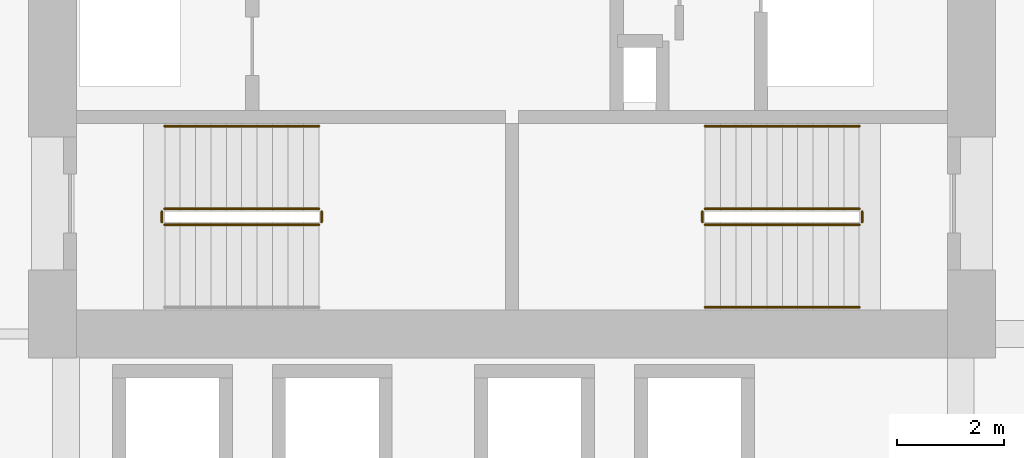
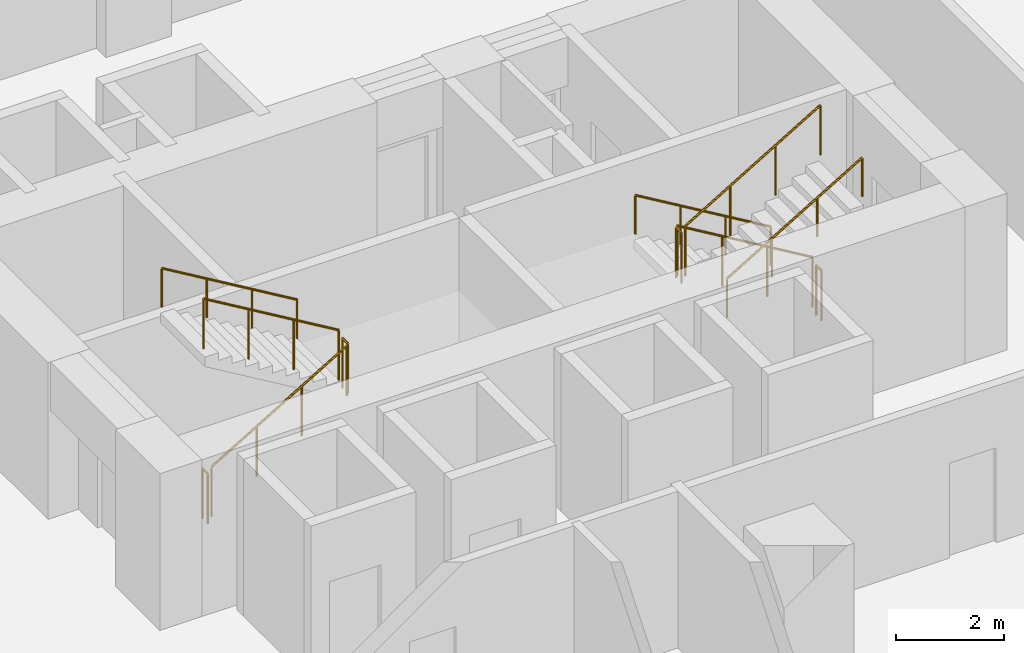
# One storey, part 21 of 23: 11 railings.
"""IFC4 building model written with IfcOpenShell, lengths in metres."""

from ifc_helpers import new_model, si_unit, direction, frame, origin, origin_2d, place, context, subcontext, project, spatial, circle, extrude, material, type_object, element, save


model = new_model("IFC4")

# Units and contexts
model_context = context("Model", 3, precision=1e-05, world=origin(), true_north=direction((0.0, 1.0)))
body_context = subcontext(model_context, "Body", "Model", "MODEL_VIEW")
ifc_project = project(units=[si_unit("LENGTHUNIT", "METRE"), si_unit("AREAUNIT", "SQUARE_METRE"), si_unit("VOLUMEUNIT", "CUBIC_METRE"), si_unit("PLANEANGLEUNIT", "RADIAN"), si_unit("MASSUNIT", "GRAM", prefix="KILO")], contexts=[model_context])

# Site, building, storey
site_placement = place(None, origin())
site = spatial("IfcSite", under=ifc_project, at=site_placement, CompositionType="ELEMENT")
building_placement = place(site_placement, origin())
building = spatial("IfcBuilding", under=site, at=building_placement, Name="Koriwani Terraces Tower", CompositionType="ELEMENT")
storey_placement = place(building_placement, frame((0.0, 0.0, 32.0)))
storey = spatial("IfcBuildingStorey", under=building, at=storey_placement, Name="L06", CompositionType="ELEMENT", Elevation=32.0)

# Railings
ifc_material = material(Name="Steel ASTM A572 Grade 50", Category="steel")
railing_type_1 = type_object("IfcRailingType", Name="GUARD_STAIR_WELL_1120", PredefinedType="GUARDRAIL", material=ifc_material)
railing_1_placement = place(storey_placement, frame((43.85009765625, 18.85009765625, 0.172607421875)))
element("IfcRailing", 1, at=railing_1_placement, inside=storey, type_object=railing_type_1, Name="L06 ST-E1 stair guard 1", PredefinedType="GUARDRAIL", context=body_context, shape_type="SweptSolid", body=[
    extrude(circle(Radius=0.02392578125, at=origin_2d()), frame((0.0, 0.0, 1.1259765625), z_axis=(0.859141464434, 0.0, 0.511738159696), x_axis=(0.0, 1.0, 0.0)), (0.0, 0.0, 1.0), 3.375244140625),
    extrude(circle(Radius=0.02099609375, at=origin_2d()), origin(), (0.0, 0.0, 1.0), 1.101806640625),
    extrude(circle(Radius=0.02099609375, at=origin_2d()), frame((0.966552734375, 0.0, 0.57568359375)), (0.0, 0.0, 1.0), 1.101806640625),
    extrude(circle(Radius=0.02099609375, at=origin_2d()), frame((1.933349609375, 0.0, 1.151611328125)), (0.0, 0.0, 1.0), 1.101806640625),
    extrude(circle(Radius=0.02099609375, at=origin_2d()), frame((2.89990234375, 0.0, 1.727294921875)), (0.0, 0.0, 1.0), 1.101806640625),
])
railing_2_placement = place(storey_placement, frame((46.800048828125, 18.89990234375, 1.89990234375)))
element("IfcRailing", 2, at=railing_2_placement, inside=storey, type_object=railing_type_1, Name="L06 ST-E1 stair guard 2", PredefinedType="GUARDRAIL", context=body_context, shape_type="SweptSolid", body=[
    extrude(circle(Radius=0.02392578125, at=origin_2d()), frame((0.0, 0.0, 1.1259765625), z_axis=(0.0, 1.0, 0.0), x_axis=(-1.0, 0.0, 0.0)), (0.0, 0.0, 1.0), 0.2001953125),
    extrude(circle(Radius=0.02099609375, at=origin_2d()), origin(), (0.0, 0.0, 1.0), 1.101806640625),
    extrude(circle(Radius=0.02099609375, at=origin_2d()), frame((0.0, 0.2001953125, 0.0)), (0.0, 0.0, 1.0), 1.101806640625),
])
railing_3_placement = place(storey_placement, frame((46.75, 19.14990234375, 2.07275390625)))
element("IfcRailing", 3, at=railing_3_placement, inside=storey, type_object=railing_type_1, Name="L06 ST-E1 stair guard 3", PredefinedType="GUARDRAIL", context=body_context, shape_type="SweptSolid", body=[
    extrude(circle(Radius=0.02392578125, at=origin_2d()), frame((0.0, 0.0, 1.1259765625), z_axis=(-0.859141464434, 0.0, 0.511738159696), x_axis=(0.0, -1.0, 0.0)), (0.0, 0.0, 1.0), 3.375244140625),
    extrude(circle(Radius=0.02099609375, at=origin_2d()), origin(), (0.0, 0.0, 1.0), 1.101806640625),
    extrude(circle(Radius=0.02099609375, at=origin_2d()), frame((-0.966552734375, 0.0, 0.57568359375)), (0.0, 0.0, 1.0), 1.101806640625),
    extrude(circle(Radius=0.02099609375, at=origin_2d()), frame((-1.933349609375, 0.0, 1.151611328125)), (0.0, 0.0, 1.0), 1.101806640625),
    extrude(circle(Radius=0.02099609375, at=origin_2d()), frame((-2.89990234375, 0.0, 1.727294921875)), (0.0, 0.0, 1.0), 1.101806640625),
])
railing_4_placement = place(storey_placement, frame((43.800048828125, 18.89990234375, 0.0)))
element("IfcRailing", 4, at=railing_4_placement, inside=storey, type_object=railing_type_1, Name="L06 ST-E1 stair guard 4", PredefinedType="GUARDRAIL", context=body_context, shape_type="SweptSolid", body=[
    extrude(circle(Radius=0.02392578125, at=origin_2d()), frame((0.0, 0.0, 1.1259765625), z_axis=(0.0, 1.0, 0.0), x_axis=(-1.0, 0.0, 0.0)), (0.0, 0.0, 1.0), 0.2001953125),
    extrude(circle(Radius=0.02099609375, at=origin_2d()), origin(), (0.0, 0.0, 1.0), 1.101806640625),
    extrude(circle(Radius=0.02099609375, at=origin_2d()), frame((0.0, 0.2001953125, 0.0)), (0.0, 0.0, 1.0), 1.101806640625),
])
railing_5_placement = place(storey_placement, frame((56.89990234375, 19.14990234375, 0.172607421875)))
element("IfcRailing", 5, at=railing_5_placement, inside=storey, type_object=railing_type_1, Name="L06 ST-E2 stair guard 1", PredefinedType="GUARDRAIL", context=body_context, shape_type="SweptSolid", body=[
    extrude(circle(Radius=0.02392578125, at=origin_2d()), frame((0.0, 0.0, 1.1259765625), z_axis=(-0.859141464434, 0.0, 0.511738159696), x_axis=(0.0, -1.0, 0.0)), (0.0, 0.0, 1.0), 3.375244140625),
    extrude(circle(Radius=0.02099609375, at=origin_2d()), origin(), (0.0, 0.0, 1.0), 1.101806640625),
    extrude(circle(Radius=0.02099609375, at=origin_2d()), frame((-0.966552734375, 0.0, 0.57568359375)), (0.0, 0.0, 1.0), 1.101806640625),
    extrude(circle(Radius=0.02099609375, at=origin_2d()), frame((-1.933349609375, 0.0, 1.151611328125)), (0.0, 0.0, 1.0), 1.101806640625),
    extrude(circle(Radius=0.02099609375, at=origin_2d()), frame((-2.89990234375, 0.0, 1.727294921875)), (0.0, 0.0, 1.0), 1.101806640625),
])
railing_6_placement = place(storey_placement, frame((53.949951171875, 19.10009765625, 1.89990234375)))
element("IfcRailing", 6, at=railing_6_placement, inside=storey, type_object=railing_type_1, Name="L06 ST-E2 stair guard 2", PredefinedType="GUARDRAIL", context=body_context, shape_type="SweptSolid", body=[
    extrude(circle(Radius=0.02392578125, at=origin_2d()), frame((0.0, 0.0, 1.1259765625), z_axis=(0.0, -1.0, 0.0), x_axis=(1.0, 0.0, 0.0)), (0.0, 0.0, 1.0), 0.2001953125),
    extrude(circle(Radius=0.02099609375, at=origin_2d()), origin(), (0.0, 0.0, 1.0), 1.101806640625),
    extrude(circle(Radius=0.02099609375, at=origin_2d()), frame((0.0, -0.2001953125, 0.0)), (0.0, 0.0, 1.0), 1.101806640625),
])
railing_7_placement = place(storey_placement, frame((54.0, 18.85009765625, 2.07275390625)))
element("IfcRailing", 7, at=railing_7_placement, inside=storey, type_object=railing_type_1, Name="L06 ST-E2 stair guard 3", PredefinedType="GUARDRAIL", context=body_context, shape_type="SweptSolid", body=[
    extrude(circle(Radius=0.02392578125, at=origin_2d()), frame((0.0, 0.0, 1.1259765625), z_axis=(0.859141464434, 0.0, 0.511738159696), x_axis=(0.0, 1.0, 0.0)), (0.0, 0.0, 1.0), 3.375244140625),
    extrude(circle(Radius=0.02099609375, at=origin_2d()), origin(), (0.0, 0.0, 1.0), 1.101806640625),
    extrude(circle(Radius=0.02099609375, at=origin_2d()), frame((0.966552734375, 0.0, 0.57568359375)), (0.0, 0.0, 1.0), 1.101806640625),
    extrude(circle(Radius=0.02099609375, at=origin_2d()), frame((1.933349609375, 0.0, 1.151611328125)), (0.0, 0.0, 1.0), 1.101806640625),
    extrude(circle(Radius=0.02099609375, at=origin_2d()), frame((2.89990234375, 0.0, 1.727294921875)), (0.0, 0.0, 1.0), 1.101806640625),
])
railing_8_placement = place(storey_placement, frame((56.949951171875, 19.10009765625, 0.0)))
element("IfcRailing", 8, at=railing_8_placement, inside=storey, type_object=railing_type_1, Name="L06 ST-E2 stair guard 4", PredefinedType="GUARDRAIL", context=body_context, shape_type="SweptSolid", body=[
    extrude(circle(Radius=0.02392578125, at=origin_2d()), frame((0.0, 0.0, 1.1259765625), z_axis=(0.0, -1.0, 0.0), x_axis=(1.0, 0.0, 0.0)), (0.0, 0.0, 1.0), 0.2001953125),
    extrude(circle(Radius=0.02099609375, at=origin_2d()), origin(), (0.0, 0.0, 1.0), 1.101806640625),
    extrude(circle(Radius=0.02099609375, at=origin_2d()), frame((0.0, -0.2001953125, 0.0)), (0.0, 0.0, 1.0), 1.101806640625),
])
railing_type_2 = type_object("IfcRailingType", Name="HANDRAIL_STAIR_920", PredefinedType="HANDRAIL", material=ifc_material)
for number, where, name in (
    (9, (46.75, 20.699951171875, 2.07275390625), "L06 ST-E1 stair handrail 2"),
    (10, (56.89990234375, 20.699951171875, 0.172607421875), "L06 ST-E2 stair handrail 1"),
):
    element("IfcRailing", number, at=place(storey_placement, frame(where)), inside=storey, type_object=railing_type_2, Name=name, PredefinedType="HANDRAIL", context=body_context, shape_type="SweptSolid", body=[
        extrude(circle(Radius=0.02392578125, at=origin_2d()), frame((0.0, 0.0, 0.8759765625), z_axis=(-0.859141464434, 0.0, 0.511738159696), x_axis=(0.0, -1.0, 0.0)), (0.0, 0.0, 1.0), 3.375244140625),
        extrude(circle(Radius=0.02099609375, at=origin_2d()), origin(), (0.0, 0.0, 1.0), 0.851806640625),
        extrude(circle(Radius=0.02099609375, at=origin_2d()), frame((-0.966552734375, 0.0, 0.57568359375)), (0.0, 0.0, 1.0), 0.851806640625),
        extrude(circle(Radius=0.02099609375, at=origin_2d()), frame((-1.933349609375, 0.0, 1.151611328125)), (0.0, 0.0, 1.0), 0.851806640625),
        extrude(circle(Radius=0.02099609375, at=origin_2d()), frame((-2.89990234375, 0.0, 1.727294921875)), (0.0, 0.0, 1.0), 0.851806640625),
    ])
railing_9_placement = place(storey_placement, frame((54.0, 17.300048828125, 2.07275390625)))
element("IfcRailing", 11, at=railing_9_placement, inside=storey, type_object=railing_type_2, Name="L06 ST-E2 stair handrail 2", PredefinedType="HANDRAIL", context=body_context, shape_type="SweptSolid", body=[
    extrude(circle(Radius=0.02392578125, at=origin_2d()), frame((0.0, 0.0, 0.8759765625), z_axis=(0.859141464434, 0.0, 0.511738159696), x_axis=(0.0, 1.0, 0.0)), (0.0, 0.0, 1.0), 3.375244140625),
    extrude(circle(Radius=0.02099609375, at=origin_2d()), origin(), (0.0, 0.0, 1.0), 0.851806640625),
    extrude(circle(Radius=0.02099609375, at=origin_2d()), frame((0.966552734375, 0.0, 0.57568359375)), (0.0, 0.0, 1.0), 0.851806640625),
    extrude(circle(Radius=0.02099609375, at=origin_2d()), frame((1.933349609375, 0.0, 1.151611328125)), (0.0, 0.0, 1.0), 0.851806640625),
    extrude(circle(Radius=0.02099609375, at=origin_2d()), frame((2.89990234375, 0.0, 1.727294921875)), (0.0, 0.0, 1.0), 0.851806640625),
])

save(model, "model.ifc")
